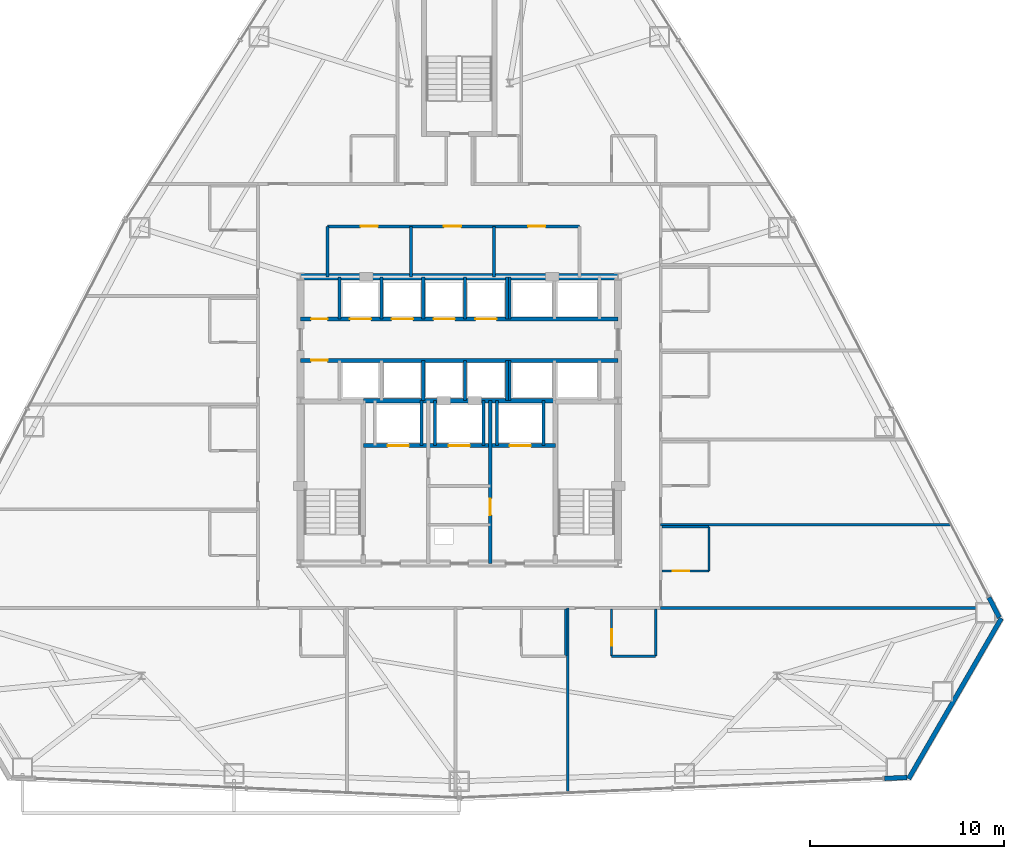
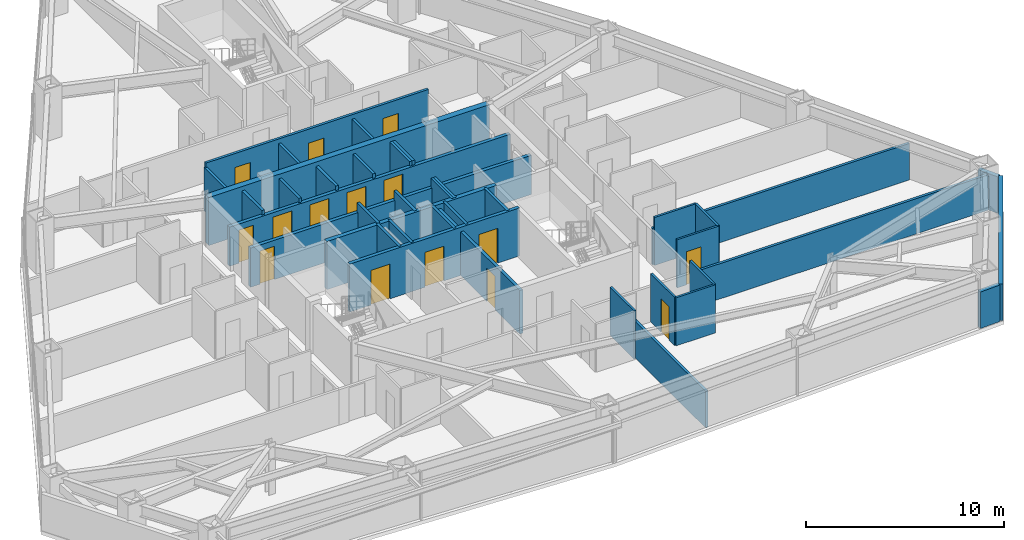
# One storey, part 10 of 13: 38 walls, 15 doors, 15 openings.
"""IFC4 building model written with IfcOpenShell, lengths in metres."""

from ifc_helpers import new_model, si_unit, direction, frame, frame_2d, origin, place, context, subcontext, project, spatial, rectangle, extrude, material, layer, layer_set, type_object, element, fill, save


model = new_model("IFC4")

# Units and contexts
model_context = context("Model", 3, precision=1e-05, world=origin(), true_north=direction((0.0, 1.0)))
body_context = subcontext(model_context, "Body", "Model", "MODEL_VIEW")
ifc_project = project(units=[si_unit("LENGTHUNIT", "METRE"), si_unit("AREAUNIT", "SQUARE_METRE"), si_unit("VOLUMEUNIT", "CUBIC_METRE"), si_unit("PLANEANGLEUNIT", "RADIAN"), si_unit("MASSUNIT", "GRAM", prefix="KILO")], contexts=[model_context])

# Site, building, storey
site_placement = place(None, origin())
site = spatial("IfcSite", under=ifc_project, at=site_placement, CompositionType="ELEMENT")
building_placement = place(site_placement, origin())
building = spatial("IfcBuilding", under=site, at=building_placement, Name="Varakhsha Concourse Tower", CompositionType="ELEMENT")
storey_placement = place(building_placement, frame((0.0, 0.0, 89.39990234375)))
storey = spatial("IfcBuildingStorey", under=building, at=storey_placement, Name="L25", CompositionType="ELEMENT", Elevation=89.39990234375)

# Walls
ifc_material_1 = material(Name="Concrete fc 65 MPa", Category="concrete")
ifc_layer_1 = layer(ifc_material_1, 0.35009765625, Name="WL-CORE-350")
ifc_layer_set_1 = layer_set([ifc_layer_1], Name="Concrete fc 65 MPa")
wall_type_1 = type_object("IfcWallType", Name="WL-CORE-350", PredefinedType="SHEAR", material=ifc_layer_set_1)
wall_1_placement = place(storey_placement, frame((31.800048828125, 31.199951171875, 0.0), z_axis=(0.0, 0.0, 1.0), x_axis=(1.0, 0.0, 0.0)))
element("IfcWall", 1, at=wall_1_placement, inside=storey, type_object=wall_type_1, Name="L25 Wall CWALL-N-L25", PredefinedType="SHEAR", context=body_context, shape_type="SweptSolid", body=[
    extrude(rectangle(XDim=16.39990234375, YDim=0.35009765625, at=frame_2d((8.199951171875, 0.0))), origin(), (0.0, 0.0, 1.0), 2.97021484375),
])
ifc_material_2 = material(Name="Concrete fc 45 MPa", Category="concrete")
ifc_layer_2 = layer(ifc_material_2, 0.239990234375, Name="WL-EXT-CRN-240")
ifc_layer_set_2 = layer_set([ifc_layer_2], Name="Concrete fc 45 MPa")
wall_type_2 = type_object("IfcWallType", Name="WL-EXT-CRN-240", PredefinedType="SHEAR", material=ifc_layer_set_2)
wall_2_placement = place(storey_placement, frame((61.94921875, 5.297119140625, 0.0), z_axis=(0.0, 0.0, 1.0), x_axis=(0.998970704025, 0.045360031967, 0.0)))
element("IfcWall", 2, at=wall_2_placement, inside=storey, type_object=wall_type_2, Name="L25 Wind-Corner Shoulder Wall F6", PredefinedType="SHEAR", context=body_context, shape_type="SweptSolid", body=[
    extrude(rectangle(XDim=1.16259765625, YDim=0.239990234375, at=frame_2d((0.581298828125, 0.0))), origin(), (0.0, 0.0, 1.0), 2.253173828125),
])
wall_3_placement = place(storey_placement, frame((67.984619140625, 13.569091796875, 0.0), z_axis=(0.0, 0.0, 1.0), x_axis=(-0.499996243911, -0.866027572353, 0.0)))
element("IfcWall", 3, at=wall_3_placement, inside=storey, type_object=wall_type_2, Name="L25 Chamfer Wind-Corner Insulated Wall F7", PredefinedType="SHEAR", context=body_context, shape_type="SweptSolid", body=[
    extrude(rectangle(XDim=9.5712890625, YDim=0.239990234375, at=frame_2d((4.78564453125, 0.0))), origin(), (0.0, 0.0, 1.0), 2.253173828125),
])
wall_4_placement = place(storey_placement, frame((67.8798828125, 13.61083984375, 0.0), z_axis=(0.0, 0.0, 1.0), x_axis=(-0.460022833548, 0.887907085575, 0.0)))
element("IfcWall", 4, at=wall_4_placement, inside=storey, type_object=wall_type_2, Name="L25 Wind-Corner Shoulder Wall F8", PredefinedType="SHEAR", context=body_context, shape_type="SweptSolid", body=[
    extrude(rectangle(XDim=1.162353515625, YDim=0.239990234375, at=frame_2d((0.5810546875, 0.0))), origin(), (0.0, 0.0, 1.0), 2.253173828125),
])

# Wall, opening, door
ifc_material_3 = material(Name="Fire-Rated Type X Gypsum Partition Assembly", Category="gypsum")
ifc_layer_3 = layer(ifc_material_3, 0.179931640625, Name="WL-FFLOB-180")
ifc_layer_set_3 = layer_set([ifc_layer_3], Name="Fire-Rated Type X Gypsum Partition Assembly")
wall_type_3 = type_object("IfcWallType", Name="WL-FFLOB-180", PredefinedType="PARTITIONING", material=ifc_layer_set_3)
wall_5_placement = place(storey_placement, frame((41.610107421875, 16.39990234375, 0.0), z_axis=(0.0, 0.0, 1.0), x_axis=(0.0, 1.0, 0.0)))
wall_5 = element("IfcWall", 5, at=wall_5_placement, inside=storey, type_object=wall_type_3, Name="L25 Wall FFW-2W-L25", PredefinedType="PARTITIONING", context=body_context, shape_type="SweptSolid", body=[
    extrude(rectangle(XDim=8.400146484375, YDim=0.179931640625, at=frame_2d((4.2001953125, 0.0))), origin(), (0.0, 0.0, 1.0), 2.697998046875),
])
opening_1_placement = place(wall_5_placement, frame((2.5, 0.0, 0.0)))
opening_1 = element("IfcOpeningElement", 6, at=opening_1_placement, cuts=wall_5, Name="Opening DF-07", PredefinedType="OPENING", context=body_context, shape_type="SweptSolid", body=[
    extrude(rectangle(XDim=0.85009765625, YDim=2.050048828125, at=frame_2d((0.425048828125, 1.02490234375))), frame((0.0, 0.099853515625, 0.0), z_axis=(0.0, -1.0, 0.0), x_axis=(1.0, 0.0, 0.0)), (0.0, 0.0, 1.0), 0.199951171875),
])
ifc_material_4 = material(Name="Hollow Galvanised Steel Fire Door Assembly", Category="steel")
door_type_1 = type_object("IfcDoorType", Name="DR-FD60-850", OperationType="NOTDEFINED", PredefinedType="DOOR", material=ifc_material_4)
door_1_placement = place(opening_1_placement, origin())
door_1 = element("IfcDoor", 7, at=door_1_placement, inside=storey, type_object=door_type_1, Name="L25 Telecoms Node Door", OperationType="SINGLE_SWING_LEFT", OverallHeight=2.050048828125, OverallWidth=0.85009765625, PredefinedType="DOOR", context=body_context, shape_type="SweptSolid", body=[
    extrude(rectangle(XDim=0.85009765625, YDim=2.050048828125, at=frame_2d((0.425048828125, 1.02490234375))), frame((0.0, 0.02490234375, 0.0), z_axis=(0.0, -1.0, 0.0), x_axis=(1.0, 0.0, 0.0)), (0.0, 0.0, 1.0), 0.050048828125),
])
fill(opening_1, door_1)

# Wall
ifc_material_5 = material(Name="Acoustic Gypsum Board Partition Assembly", Category="gypsum")
ifc_layer_4 = layer(ifc_material_5, 0.1201171875, Name="WL-PART-120")
ifc_layer_set_4 = layer_set([ifc_layer_4], Name="Acoustic Gypsum Board Partition Assembly")
wall_type_4 = type_object("IfcWallType", Name="WL-PART-120", PredefinedType="PARTITIONING", material=ifc_layer_set_4)
wall_6_placement = place(storey_placement, frame((45.489990234375, 11.610107421875, 0.0), z_axis=(0.0, 0.0, 1.0), x_axis=(0.0, 1.0, 0.0)))
element("IfcWall", 8, at=wall_6_placement, inside=storey, type_object=wall_type_4, Name="L25 Wall ENSW-E-L25-H03", PredefinedType="PARTITIONING", context=body_context, shape_type="SweptSolid", body=[
    extrude(rectangle(XDim=2.429931640625, YDim=0.1201171875, at=frame_2d((1.21484375, 0.0))), origin(), (0.0, 0.0, 1.0), 2.97021484375),
])

# Wall, opening, door
wall_7_placement = place(storey_placement, frame((47.860107421875, 11.610107421875, 0.0), z_axis=(0.0, 0.0, 1.0), x_axis=(0.0, 1.0, 0.0)))
wall_7 = element("IfcWall", 9, at=wall_7_placement, inside=storey, type_object=wall_type_4, Name="L25 Wall ENSW-W-L25-H04", PredefinedType="PARTITIONING", context=body_context, shape_type="SweptSolid", body=[
    extrude(rectangle(XDim=2.429931640625, YDim=0.1201171875, at=frame_2d((1.21484375, 0.0))), origin(), (0.0, 0.0, 1.0), 2.97021484375),
])
opening_2_placement = place(wall_7_placement, frame((0.550048828125, 0.0, 0.0)))
opening_2 = element("IfcOpeningElement", 10, at=opening_2_placement, cuts=wall_7, Name="Opening DI-01", PredefinedType="OPENING", context=body_context, shape_type="SweptSolid", body=[
    extrude(rectangle(XDim=0.85009765625, YDim=2.050048828125, at=frame_2d((0.425048828125, 1.02490234375))), frame((0.0, 0.070068359375, 0.0), z_axis=(0.0, -1.0, 0.0), x_axis=(1.0, 0.0, 0.0)), (0.0, 0.0, 1.0), 0.14013671875),
])
ifc_material_6 = material(Name="Architectural Walnut Acoustic Timber Door", Category="wood")
door_type_2 = type_object("IfcDoorType", Name="DR-INT-850", OperationType="NOTDEFINED", PredefinedType="DOOR", material=ifc_material_6)
door_2_placement = place(opening_2_placement, origin())
door_2 = element("IfcDoor", 11, at=door_2_placement, inside=storey, type_object=door_type_2, Name="L25 En-suite Bathroom Door L25-H04", OperationType="SINGLE_SWING_RIGHT", OverallHeight=2.050048828125, OverallWidth=0.85009765625, PredefinedType="DOOR", context=body_context, shape_type="SweptSolid", body=[
    extrude(rectangle(XDim=0.85009765625, YDim=2.050048828125, at=frame_2d((0.425048828125, 1.02490234375))), frame((0.0, 0.02490234375, 0.0), z_axis=(0.0, -1.0, 0.0), x_axis=(1.0, 0.0, 0.0)), (0.0, 0.0, 1.0), 0.050048828125),
])
fill(opening_2, door_2)

# Walls
wall_8_placement = place(storey_placement, frame((50.139892578125, 11.610107421875, 0.0), z_axis=(0.0, 0.0, 1.0), x_axis=(0.0, 1.0, 0.0)))
element("IfcWall", 12, at=wall_8_placement, inside=storey, type_object=wall_type_4, Name="L25 Wall ENSW-E-L25-H04", PredefinedType="PARTITIONING", context=body_context, shape_type="SweptSolid", body=[
    extrude(rectangle(XDim=2.429931640625, YDim=0.1201171875, at=frame_2d((1.21484375, 0.0))), origin(), (0.0, 0.0, 1.0), 2.97021484375),
])
wall_9_placement = place(storey_placement, frame((47.860107421875, 11.610107421875, 0.0), z_axis=(0.0, 0.0, 1.0), x_axis=(1.0, 0.0, 0.0)))
element("IfcWall", 13, at=wall_9_placement, inside=storey, type_object=wall_type_4, Name="L25 Wall ENSW-S-L25-H04", PredefinedType="PARTITIONING", context=body_context, shape_type="SweptSolid", body=[
    extrude(rectangle(XDim=2.27978515625, YDim=0.1201171875, at=frame_2d((1.139892578125, 0.0))), origin(), (0.0, 0.0, 1.0), 2.97021484375),
])
wall_10_placement = place(storey_placement, frame((52.889892578125, 16.010009765625, 0.0), z_axis=(0.0, 0.0, 1.0), x_axis=(0.0, 1.0, 0.0)))
element("IfcWall", 14, at=wall_10_placement, inside=storey, type_object=wall_type_4, Name="L25 Wall ENSW-E-L25-H09", PredefinedType="PARTITIONING", context=body_context, shape_type="SweptSolid", body=[
    extrude(rectangle(XDim=2.280029296875, YDim=0.1201171875, at=frame_2d((1.14013671875, 0.0))), origin(), (0.0, 0.0, 1.0), 2.97021484375),
])

# Wall, opening, door
wall_11_placement = place(storey_placement, frame((50.4599609375, 16.010009765625, 0.0), z_axis=(0.0, 0.0, 1.0), x_axis=(1.0, 0.0, 0.0)))
wall_11 = element("IfcWall", 15, at=wall_11_placement, inside=storey, type_object=wall_type_4, Name="L25 Wall ENSW-S-L25-H09", PredefinedType="PARTITIONING", context=body_context, shape_type="SweptSolid", body=[
    extrude(rectangle(XDim=2.429931640625, YDim=0.1201171875, at=frame_2d((1.21484375, 0.0))), origin(), (0.0, 0.0, 1.0), 2.97021484375),
])
opening_3_placement = place(wall_11_placement, frame((0.550048828125, 0.0, 0.0)))
opening_3 = element("IfcOpeningElement", 16, at=opening_3_placement, cuts=wall_11, Name="Opening DI-01", PredefinedType="OPENING", context=body_context, shape_type="SweptSolid", body=[
    extrude(rectangle(XDim=0.85009765625, YDim=2.050048828125, at=frame_2d((0.425048828125, 1.02490234375))), frame((0.0, 0.070068359375, 0.0), z_axis=(0.0, -1.0, 0.0), x_axis=(1.0, 0.0, 0.0)), (0.0, 0.0, 1.0), 0.14013671875),
])
door_3_placement = place(opening_3_placement, origin())
door_3 = element("IfcDoor", 17, at=door_3_placement, inside=storey, type_object=door_type_2, Name="L25 En-suite Bathroom Door L25-H09", OperationType="SINGLE_SWING_RIGHT", OverallHeight=2.050048828125, OverallWidth=0.85009765625, PredefinedType="DOOR", context=body_context, shape_type="SweptSolid", body=[
    extrude(rectangle(XDim=0.85009765625, YDim=2.050048828125, at=frame_2d((0.425048828125, 1.02490234375))), frame((0.0, 0.02490234375, 0.0), z_axis=(0.0, -1.0, 0.0), x_axis=(1.0, 0.0, 0.0)), (0.0, 0.0, 1.0), 0.050048828125),
])
fill(opening_3, door_3)

# Wall
wall_12_placement = place(storey_placement, frame((50.4599609375, 18.2900390625, 0.0), z_axis=(0.0, 0.0, 1.0), x_axis=(1.0, 0.0, 0.0)))
element("IfcWall", 18, at=wall_12_placement, inside=storey, type_object=wall_type_4, Name="L25 Wall ENSW-N-L25-H09", PredefinedType="PARTITIONING", context=body_context, shape_type="SweptSolid", body=[
    extrude(rectangle(XDim=2.429931640625, YDim=0.1201171875, at=frame_2d((1.21484375, 0.0))), origin(), (0.0, 0.0, 1.0), 2.97021484375),
])

# Wall, openings, doors
ifc_layer_5 = layer(ifc_material_3, 0.14990234375, Name="WL-PART-150")
ifc_layer_set_5 = layer_set([ifc_layer_5], Name="Fire-Rated Type X Gypsum Partition Assembly")
wall_type_5 = type_object("IfcWallType", Name="WL-PART-150", PredefinedType="PARTITIONING", material=ifc_layer_set_5)
wall_13_placement = place(storey_placement, frame((33.199951171875, 33.800048828125, 0.0), z_axis=(0.0, 0.0, 1.0), x_axis=(1.0, 0.0, 0.0)))
wall_13 = element("IfcWall", 19, at=wall_13_placement, inside=storey, type_object=wall_type_5, Name="L25 Wall NBOH-N-L25", PredefinedType="PARTITIONING", context=body_context, shape_type="SweptSolid", body=[
    extrude(rectangle(XDim=13.0, YDim=0.14990234375, at=frame_2d((6.5, 0.0))), origin(), (0.0, 0.0, 1.0), 2.97021484375),
])
opening_4_placement = place(wall_13_placement, frame((1.699951171875, 0.0, 0.0)))
opening_4 = element("IfcOpeningElement", 20, at=opening_4_placement, cuts=wall_13, Name="Opening DF-06", PredefinedType="OPENING", context=body_context, shape_type="SweptSolid", body=[
    extrude(rectangle(XDim=0.89990234375, YDim=2.10009765625, at=frame_2d((0.449951171875, 1.050048828125))), frame((0.0, 0.0849609375, 0.0), z_axis=(0.0, -1.0, 0.0), x_axis=(1.0, 0.0, 0.0)), (0.0, 0.0, 1.0), 0.169921875),
])
opening_5_placement = place(wall_13_placement, frame((6.0, 0.0, 0.0)))
opening_5 = element("IfcOpeningElement", 21, at=opening_5_placement, cuts=wall_13, Name="Opening DF-06", PredefinedType="OPENING", context=body_context, shape_type="SweptSolid", body=[
    extrude(rectangle(XDim=0.89990234375, YDim=2.10009765625, at=frame_2d((0.449951171875, 1.050048828125))), frame((0.0, 0.0849609375, 0.0), z_axis=(0.0, -1.0, 0.0), x_axis=(1.0, 0.0, 0.0)), (0.0, 0.0, 1.0), 0.169921875),
])
opening_6_placement = place(wall_13_placement, frame((10.35009765625, 0.0, 0.0)))
opening_6 = element("IfcOpeningElement", 22, at=opening_6_placement, cuts=wall_13, Name="Opening DF-06", PredefinedType="OPENING", context=body_context, shape_type="SweptSolid", body=[
    extrude(rectangle(XDim=0.89990234375, YDim=2.10009765625, at=frame_2d((0.449951171875, 1.050048828125))), frame((0.0, 0.0849609375, 0.0), z_axis=(0.0, -1.0, 0.0), x_axis=(1.0, 0.0, 0.0)), (0.0, 0.0, 1.0), 0.169921875),
])
door_type_3 = type_object("IfcDoorType", Name="DR-FD60-900", OperationType="NOTDEFINED", PredefinedType="DOOR", material=ifc_material_4)
door_4_placement = place(opening_4_placement, origin())
door_4 = element("IfcDoor", 23, at=door_4_placement, inside=storey, type_object=door_type_3, Name="L25 Housekeeping and Linen Room Door", OperationType="SINGLE_SWING_LEFT", OverallHeight=2.10009765625, OverallWidth=0.89990234375, PredefinedType="DOOR", context=body_context, shape_type="SweptSolid", body=[
    extrude(rectangle(XDim=0.89990234375, YDim=2.10009765625, at=frame_2d((0.449951171875, 1.050048828125))), frame((0.0, 0.02490234375, 0.0), z_axis=(0.0, -1.0, 0.0), x_axis=(1.0, 0.0, 0.0)), (0.0, 0.0, 1.0), 0.050048828125),
])
fill(opening_4, door_4)
door_5_placement = place(opening_5_placement, origin())
door_5 = element("IfcDoor", 24, at=door_5_placement, inside=storey, type_object=door_type_3, Name="L25 Accessible WC Door", OperationType="SINGLE_SWING_RIGHT", OverallHeight=2.10009765625, OverallWidth=0.89990234375, PredefinedType="DOOR", context=body_context, shape_type="SweptSolid", body=[
    extrude(rectangle(XDim=0.89990234375, YDim=2.10009765625, at=frame_2d((0.449951171875, 1.050048828125))), frame((0.0, 0.02490234375, 0.0), z_axis=(0.0, -1.0, 0.0), x_axis=(1.0, 0.0, 0.0)), (0.0, 0.0, 1.0), 0.050048828125),
])
fill(opening_5, door_5)
door_6_placement = place(opening_6_placement, origin())
door_6 = element("IfcDoor", 25, at=door_6_placement, inside=storey, type_object=door_type_3, Name="L25 Staff Restroom WC Door", OperationType="SINGLE_SWING_LEFT", OverallHeight=2.10009765625, OverallWidth=0.89990234375, PredefinedType="DOOR", context=body_context, shape_type="SweptSolid", body=[
    extrude(rectangle(XDim=0.89990234375, YDim=2.10009765625, at=frame_2d((0.449951171875, 1.050048828125))), frame((0.0, 0.02490234375, 0.0), z_axis=(0.0, -1.0, 0.0), x_axis=(1.0, 0.0, 0.0)), (0.0, 0.0, 1.0), 0.050048828125),
])
fill(opening_6, door_6)

# Walls
for number, where, z_axis, x_axis, name in (
    (26, (33.199951171875, 31.199951171875, 0.0), (0.0, 0.0, 1.0), (0.0, 1.0, 0.0), "L25 Wall NBOH-W-L25"),
    (27, (37.5, 31.199951171875, 0.0), (0.0, 0.0, 1.0), (0.0, 1.0, 0.0), "L25 Wall NBOH-D1-L25"),
    (28, (41.800048828125, 31.199951171875, 0.0), (0.0, 0.0, 1.0), (0.0, 1.0, 0.0), "L25 Wall NBOH-D2-L25"),
):
    element("IfcWall", number, at=place(storey_placement, frame(where, z_axis=z_axis, x_axis=x_axis)), inside=storey, type_object=wall_type_5, Name=name, PredefinedType="PARTITIONING", context=body_context, shape_type="SweptSolid", body=[
        extrude(rectangle(XDim=2.60009765625, YDim=0.14990234375, at=frame_2d((1.300048828125, 0.0))), origin(), (0.0, 0.0, 1.0), 2.697998046875),
    ])
wall_14_placement = place(storey_placement, frame((45.60009765625, 4.559326171875, 0.0), z_axis=(0.0, 0.0, 1.0), x_axis=(0.0, 1.0, 0.0)))
element("IfcWall", 29, at=wall_14_placement, inside=storey, type_object=wall_type_5, Name="L25 Wall HDIV-S3-L25", PredefinedType="PARTITIONING", context=body_context, shape_type="SweptSolid", body=[
    extrude(rectangle(XDim=9.540771484375, YDim=0.14990234375, at=frame_2d((4.7705078125, 0.0))), origin(), (0.0, 0.0, 1.0), 2.258056640625),
])
wall_15_placement = place(storey_placement, frame((50.39990234375, 14.10009765625, 0.0), z_axis=(0.0, 0.0, 1.0), x_axis=(1.0, 0.0, 0.0)))
element("IfcWall", 30, at=wall_15_placement, inside=storey, type_object=wall_type_5, Name="L25 Wall HDIV-EB0-L25", PredefinedType="PARTITIONING", context=body_context, shape_type="SweptSolid", body=[
    extrude(rectangle(XDim=17.220947265625, YDim=0.14990234375, at=frame_2d((8.6103515625, 0.0))), origin(), (0.0, 0.0, 1.0), 2.18115234375),
])
wall_16_placement = place(storey_placement, frame((50.39990234375, 18.39990234375, 0.0), z_axis=(0.0, 0.0, 1.0), x_axis=(1.0, 0.0, 0.0)))
element("IfcWall", 31, at=wall_16_placement, inside=storey, type_object=wall_type_5, Name="L25 Wall HDIV-E1-L25", PredefinedType="PARTITIONING", context=body_context, shape_type="SweptSolid", body=[
    extrude(rectangle(XDim=14.9921875, YDim=0.14990234375, at=frame_2d((7.49609375, 0.0))), origin(), (0.0, 0.0, 1.0), 2.258056640625),
])

# Wall, openings, doors
ifc_layer_6 = layer(ifc_material_3, 0.199951171875, Name="WL-SHAFT-220")
ifc_layer_set_6 = layer_set([ifc_layer_6], Name="Fire-Rated Type X Gypsum Partition Assembly")
wall_type_6 = type_object("IfcWallType", Name="WL-SHAFT-220", PredefinedType="SOLIDWALL", material=ifc_layer_set_6)
wall_17_placement = place(storey_placement, frame((35.044921875, 22.47998046875, 0.0), z_axis=(0.0, 0.0, 1.0), x_axis=(1.0, 0.0, 0.0)))
wall_17 = element("IfcWall", 32, at=wall_17_placement, inside=storey, type_object=wall_type_6, Name="L25 Wall FFW-NH-L25", PredefinedType="SOLIDWALL", context=body_context, shape_type="SweptSolid", body=[
    extrude(rectangle(XDim=9.91015625, YDim=0.199951171875, at=frame_2d((4.955078125, 0.0))), origin(), (0.0, 0.0, 1.0), 2.97021484375),
])
opening_7_placement = place(wall_17_placement, frame((1.2548828125, 0.0, 0.0)))
opening_7 = element("IfcOpeningElement", 33, at=opening_7_placement, cuts=wall_17, Name="Opening LD-FFL-1", PredefinedType="OPENING", context=body_context, shape_type="SweptSolid", body=[
    extrude(rectangle(XDim=1.10009765625, YDim=2.14990234375, at=frame_2d((0.550048828125, 1.074951171875))), frame((0.0, 0.10986328125, 0.0), z_axis=(0.0, -1.0, 0.0), x_axis=(1.0, 0.0, 0.0)), (0.0, 0.0, 1.0), 0.219970703125),
])
opening_8_placement = place(wall_17_placement, frame((7.554931640625, 0.0, 0.0)))
opening_8 = element("IfcOpeningElement", 34, at=opening_8_placement, cuts=wall_17, Name="Opening LD-FFL-2", PredefinedType="OPENING", context=body_context, shape_type="SweptSolid", body=[
    extrude(rectangle(XDim=1.10009765625, YDim=2.14990234375, at=frame_2d((0.550048828125, 1.074951171875))), frame((0.0, 0.10986328125, 0.0), z_axis=(0.0, -1.0, 0.0), x_axis=(1.0, 0.0, 0.0)), (0.0, 0.0, 1.0), 0.219970703125),
])
opening_9_placement = place(wall_17_placement, frame((4.405029296875, 0.0, 0.0)))
opening_9 = element("IfcOpeningElement", 35, at=opening_9_placement, cuts=wall_17, Name="Opening LD-SVL-1", PredefinedType="OPENING", context=body_context, shape_type="SweptSolid", body=[
    extrude(rectangle(XDim=1.10009765625, YDim=2.14990234375, at=frame_2d((0.550048828125, 1.074951171875))), frame((0.0, 0.10986328125, 0.0), z_axis=(0.0, -1.0, 0.0), x_axis=(1.0, 0.0, 0.0)), (0.0, 0.0, 1.0), 0.219970703125),
])
ifc_material_7 = material(Name="Brushed Austenitic Stainless Steel AISI 316", Category="steel")
door_type_4 = type_object("IfcDoorType", Name="DR-LD-1100", OperationType="DOUBLE_DOOR_SLIDING", PredefinedType="DOOR", material=ifc_material_7)
door_7_placement = place(opening_7_placement, origin())
door_7 = element("IfcDoor", 36, at=door_7_placement, inside=storey, type_object=door_type_4, Name="Lift Landing Door FFL-1 L25", OperationType="DOUBLE_DOOR_SLIDING", OverallHeight=2.14990234375, OverallWidth=1.10009765625, PredefinedType="DOOR", context=body_context, shape_type="SweptSolid", body=[
    extrude(rectangle(XDim=1.10009765625, YDim=2.14990234375, at=frame_2d((0.550048828125, 1.074951171875))), frame((0.0, 0.02490234375, 0.0), z_axis=(0.0, -1.0, 0.0), x_axis=(1.0, 0.0, 0.0)), (0.0, 0.0, 1.0), 0.050048828125),
])
fill(opening_7, door_7)
door_8_placement = place(opening_8_placement, origin())
door_8 = element("IfcDoor", 37, at=door_8_placement, inside=storey, type_object=door_type_4, Name="Lift Landing Door FFL-2 L25", OperationType="DOUBLE_DOOR_SLIDING", OverallHeight=2.14990234375, OverallWidth=1.10009765625, PredefinedType="DOOR", context=body_context, shape_type="SweptSolid", body=[
    extrude(rectangle(XDim=1.10009765625, YDim=2.14990234375, at=frame_2d((0.550048828125, 1.074951171875))), frame((0.0, 0.02490234375, 0.0), z_axis=(0.0, -1.0, 0.0), x_axis=(1.0, 0.0, 0.0)), (0.0, 0.0, 1.0), 0.050048828125),
])
fill(opening_8, door_8)
door_9_placement = place(opening_9_placement, origin())
door_9 = element("IfcDoor", 38, at=door_9_placement, inside=storey, type_object=door_type_4, Name="Lift Landing Door SVL-1 L25", OperationType="DOUBLE_DOOR_SLIDING", OverallHeight=2.14990234375, OverallWidth=1.10009765625, PredefinedType="DOOR", context=body_context, shape_type="SweptSolid", body=[
    extrude(rectangle(XDim=1.10009765625, YDim=2.14990234375, at=frame_2d((0.550048828125, 1.074951171875))), frame((0.0, 0.02490234375, 0.0), z_axis=(0.0, -1.0, 0.0), x_axis=(1.0, 0.0, 0.0)), (0.0, 0.0, 1.0), 0.050048828125),
])
fill(opening_9, door_9)

# Walls
for number, where, z_axis, x_axis, name in (
    (39, (38.050048828125, 22.47998046875, 0.0), (0.0, 0.0, 1.0), (0.0, 1.0, 0.0), "L25 Wall SHW-FFL-1-E-L25"),
    (40, (41.949951171875, 22.47998046875, 0.0), (0.0, 0.0, 1.0), (0.0, 1.0, 0.0), "L25 Wall SHW-FFL-2-W-L25"),
    (41, (44.35009765625, 22.47998046875, 0.0), (0.0, 0.0, 1.0), (0.0, 1.0, 0.0), "L25 Wall SHW-FFL-2-E-L25"),
    (42, (38.75, 22.47998046875, 0.0), (0.0, 0.0, 1.0), (0.0, 1.0, 0.0), "L25 Wall SHW-SVL-1-W-L25"),
    (43, (41.25, 22.47998046875, 0.0), (0.0, 0.0, 1.0), (0.0, 1.0, 0.0), "L25 Wall SHW-SVL-1-E-L25"),
):
    element("IfcWall", number, at=place(storey_placement, frame(where, z_axis=z_axis, x_axis=x_axis)), inside=storey, type_object=wall_type_6, Name=name, PredefinedType="SOLIDWALL", context=body_context, shape_type="SweptSolid", body=[
        extrude(rectangle(XDim=2.320068359375, YDim=0.159912109375, at=frame_2d((1.16015625, 0.0))), origin(), (0.0, 0.0, 1.0), 2.97021484375),
    ])

# Wall, openings, doors
wall_18_placement = place(storey_placement, frame((31.800048828125, 29.02001953125, 0.0), z_axis=(0.0, 0.0, 1.0), x_axis=(1.0, 0.0, 0.0)))
wall_18 = element("IfcWall", 44, at=wall_18_placement, inside=storey, type_object=wall_type_6, Name="L25 Wall PLW-N-L25", PredefinedType="SOLIDWALL", context=body_context, shape_type="SweptSolid", body=[
    extrude(rectangle(XDim=16.39990234375, YDim=0.199951171875, at=frame_2d((8.199951171875, 0.0))), origin(), (0.0, 0.0, 1.0), 2.421142578125),
])
opening_10_placement = place(wall_18_placement, frame((0.550048828125, 0.0, 0.0)))
opening_10 = element("IfcOpeningElement", 45, at=opening_10_placement, cuts=wall_18, Name="Opening DF-07", PredefinedType="OPENING", context=body_context, shape_type="SweptSolid", body=[
    extrude(rectangle(XDim=0.85009765625, YDim=2.050048828125, at=frame_2d((0.425048828125, 1.02490234375))), frame((0.0, 0.10986328125, 0.0), z_axis=(0.0, -1.0, 0.0), x_axis=(1.0, 0.0, 0.0)), (0.0, 0.0, 1.0), 0.219970703125),
])
opening_11_placement = place(wall_18_placement, frame((2.550048828125, 0.0, 0.0)))
opening_11 = element("IfcOpeningElement", 46, at=opening_11_placement, cuts=wall_18, Name="Opening LD-LF-P01", PredefinedType="OPENING", context=body_context, shape_type="SweptSolid", body=[
    extrude(rectangle(XDim=1.10009765625, YDim=2.14990234375, at=frame_2d((0.550048828125, 1.074951171875))), frame((0.0, 0.10986328125, 0.0), z_axis=(0.0, -1.0, 0.0), x_axis=(1.0, 0.0, 0.0)), (0.0, 0.0, 1.0), 0.219970703125),
])
opening_12_placement = place(wall_18_placement, frame((4.7099609375, 0.0, 0.0)))
opening_12 = element("IfcOpeningElement", 47, at=opening_12_placement, cuts=wall_18, Name="Opening LD-LF-P02", PredefinedType="OPENING", context=body_context, shape_type="SweptSolid", body=[
    extrude(rectangle(XDim=1.10009765625, YDim=2.14990234375, at=frame_2d((0.550048828125, 1.074951171875))), frame((0.0, 0.10986328125, 0.0), z_axis=(0.0, -1.0, 0.0), x_axis=(1.0, 0.0, 0.0)), (0.0, 0.0, 1.0), 0.219970703125),
])
opening_13_placement = place(wall_18_placement, frame((6.8701171875, 0.0, 0.0)))
opening_13 = element("IfcOpeningElement", 48, at=opening_13_placement, cuts=wall_18, Name="Opening LD-LF-P03", PredefinedType="OPENING", context=body_context, shape_type="SweptSolid", body=[
    extrude(rectangle(XDim=1.10009765625, YDim=2.14990234375, at=frame_2d((0.550048828125, 1.074951171875))), frame((0.0, 0.10986328125, 0.0), z_axis=(0.0, -1.0, 0.0), x_axis=(1.0, 0.0, 0.0)), (0.0, 0.0, 1.0), 0.219970703125),
])
opening_14_placement = place(wall_18_placement, frame((9.030029296875, 0.0, 0.0)))
opening_14 = element("IfcOpeningElement", 49, at=opening_14_placement, cuts=wall_18, Name="Opening LD-LF-P04", PredefinedType="OPENING", context=body_context, shape_type="SweptSolid", body=[
    extrude(rectangle(XDim=1.10009765625, YDim=2.14990234375, at=frame_2d((0.550048828125, 1.074951171875))), frame((0.0, 0.10986328125, 0.0), z_axis=(0.0, -1.0, 0.0), x_axis=(1.0, 0.0, 0.0)), (0.0, 0.0, 1.0), 0.219970703125),
])
door_10_placement = place(opening_10_placement, origin())
door_10 = element("IfcDoor", 50, at=door_10_placement, inside=storey, type_object=door_type_1, Name="L25 Core Janitor Closet Door", OperationType="SINGLE_SWING_LEFT", OverallHeight=2.050048828125, OverallWidth=0.85009765625, PredefinedType="DOOR", context=body_context, shape_type="SweptSolid", body=[
    extrude(rectangle(XDim=0.85009765625, YDim=2.050048828125, at=frame_2d((0.425048828125, 1.02490234375))), frame((0.0, 0.02490234375, 0.0), z_axis=(0.0, -1.0, 0.0), x_axis=(1.0, 0.0, 0.0)), (0.0, 0.0, 1.0), 0.050048828125),
])
fill(opening_10, door_10)
door_11_placement = place(opening_11_placement, origin())
door_11 = element("IfcDoor", 51, at=door_11_placement, inside=storey, type_object=door_type_4, Name="Lift Landing Door LF-P01 L25", OperationType="DOUBLE_DOOR_SLIDING", OverallHeight=2.14990234375, OverallWidth=1.10009765625, PredefinedType="DOOR", context=body_context, shape_type="SweptSolid", body=[
    extrude(rectangle(XDim=1.10009765625, YDim=2.14990234375, at=frame_2d((0.550048828125, 1.074951171875))), frame((0.0, 0.02490234375, 0.0), z_axis=(0.0, -1.0, 0.0), x_axis=(1.0, 0.0, 0.0)), (0.0, 0.0, 1.0), 0.050048828125),
])
fill(opening_11, door_11)
door_12_placement = place(opening_12_placement, origin())
door_12 = element("IfcDoor", 52, at=door_12_placement, inside=storey, type_object=door_type_4, Name="Lift Landing Door LF-P02 L25", OperationType="DOUBLE_DOOR_SLIDING", OverallHeight=2.14990234375, OverallWidth=1.10009765625, PredefinedType="DOOR", context=body_context, shape_type="SweptSolid", body=[
    extrude(rectangle(XDim=1.10009765625, YDim=2.14990234375, at=frame_2d((0.550048828125, 1.074951171875))), frame((0.0, 0.02490234375, 0.0), z_axis=(0.0, -1.0, 0.0), x_axis=(1.0, 0.0, 0.0)), (0.0, 0.0, 1.0), 0.050048828125),
])
fill(opening_12, door_12)
door_13_placement = place(opening_13_placement, origin())
door_13 = element("IfcDoor", 53, at=door_13_placement, inside=storey, type_object=door_type_4, Name="Lift Landing Door LF-P03 L25", OperationType="DOUBLE_DOOR_SLIDING", OverallHeight=2.14990234375, OverallWidth=1.10009765625, PredefinedType="DOOR", context=body_context, shape_type="SweptSolid", body=[
    extrude(rectangle(XDim=1.10009765625, YDim=2.14990234375, at=frame_2d((0.550048828125, 1.074951171875))), frame((0.0, 0.02490234375, 0.0), z_axis=(0.0, -1.0, 0.0), x_axis=(1.0, 0.0, 0.0)), (0.0, 0.0, 1.0), 0.050048828125),
])
fill(opening_13, door_13)
door_14_placement = place(opening_14_placement, origin())
door_14 = element("IfcDoor", 54, at=door_14_placement, inside=storey, type_object=door_type_4, Name="Lift Landing Door LF-P04 L25", OperationType="DOUBLE_DOOR_SLIDING", OverallHeight=2.14990234375, OverallWidth=1.10009765625, PredefinedType="DOOR", context=body_context, shape_type="SweptSolid", body=[
    extrude(rectangle(XDim=1.10009765625, YDim=2.14990234375, at=frame_2d((0.550048828125, 1.074951171875))), frame((0.0, 0.02490234375, 0.0), z_axis=(0.0, -1.0, 0.0), x_axis=(1.0, 0.0, 0.0)), (0.0, 0.0, 1.0), 0.050048828125),
])
fill(opening_14, door_14)

# Wall, opening, door
wall_19_placement = place(storey_placement, frame((31.800048828125, 26.8798828125, 0.0), z_axis=(0.0, 0.0, 1.0), x_axis=(1.0, 0.0, 0.0)))
wall_19 = element("IfcWall", 55, at=wall_19_placement, inside=storey, type_object=wall_type_6, Name="L25 Wall PLW-S-L25", PredefinedType="SOLIDWALL", context=body_context, shape_type="SweptSolid", body=[
    extrude(rectangle(XDim=16.39990234375, YDim=0.199951171875, at=frame_2d((8.199951171875, 0.0))), origin(), (0.0, 0.0, 1.0), 2.421142578125),
])
opening_15_placement = place(wall_19_placement, frame((0.550048828125, 0.0, 0.0)))
opening_15 = element("IfcOpeningElement", 56, at=opening_15_placement, cuts=wall_19, Name="Opening DF-07", PredefinedType="OPENING", context=body_context, shape_type="SweptSolid", body=[
    extrude(rectangle(XDim=0.85009765625, YDim=2.050048828125, at=frame_2d((0.425048828125, 1.02490234375))), frame((0.0, 0.10986328125, 0.0), z_axis=(0.0, -1.0, 0.0), x_axis=(1.0, 0.0, 0.0)), (0.0, 0.0, 1.0), 0.219970703125),
])
door_15_placement = place(opening_15_placement, origin())
door_15 = element("IfcDoor", 57, at=door_15_placement, inside=storey, type_object=door_type_1, Name="L25 Core Telecoms Closet Door", OperationType="SINGLE_SWING_RIGHT", OverallHeight=2.050048828125, OverallWidth=0.85009765625, PredefinedType="DOOR", context=body_context, shape_type="SweptSolid", body=[
    extrude(rectangle(XDim=0.85009765625, YDim=2.050048828125, at=frame_2d((0.425048828125, 1.02490234375))), frame((0.0, 0.02490234375, 0.0), z_axis=(0.0, -1.0, 0.0), x_axis=(1.0, 0.0, 0.0)), (0.0, 0.0, 1.0), 0.050048828125),
])
fill(opening_15, door_15)

# Walls
for number, where, z_axis, x_axis, name in (
    (58, (33.820068359375, 29.02001953125, 0.0), (0.0, 0.0, 1.0), (0.0, 1.0, 0.0), "L25 Wall WBOH-E1-L25"),
    (59, (35.97998046875, 29.02001953125, 0.0), (0.0, 0.0, 1.0), (0.0, 1.0, 0.0), "L25 Wall SHW-LF-P01-E-L25"),
    (60, (38.139892578125, 29.02001953125, 0.0), (0.0, 0.0, 1.0), (0.0, 1.0, 0.0), "L25 Wall SHW-LF-P02-E-L25"),
    (61, (40.300048828125, 29.02001953125, 0.0), (0.0, 0.0, 1.0), (0.0, 1.0, 0.0), "L25 Wall SHW-LF-P03-E-L25"),
    (62, (42.4599609375, 29.02001953125, 0.0), (0.0, 0.0, 1.0), (0.0, 1.0, 0.0), "L25 Wall SHW-LF-P04-E-L25"),
):
    element("IfcWall", number, at=place(storey_placement, frame(where, z_axis=z_axis, x_axis=x_axis)), inside=storey, type_object=wall_type_6, Name=name, PredefinedType="SOLIDWALL", context=body_context, shape_type="SweptSolid", body=[
        extrude(rectangle(XDim=2.179931640625, YDim=0.159912109375, at=frame_2d((1.08984375, 0.0))), origin(), (0.0, 0.0, 1.0), 2.697998046875),
    ])
for number, where, z_axis, x_axis, name in (
    (63, (38.139892578125, 24.800048828125, 0.0), (0.0, 0.0, 1.0), (0.0, 1.0, 0.0), "L25 Wall SHW-LF-P06-E-L25"),
    (64, (40.300048828125, 24.800048828125, 0.0), (0.0, 0.0, 1.0), (0.0, 1.0, 0.0), "L25 Wall SHW-LF-P07-E-L25"),
    (65, (42.4599609375, 24.800048828125, 0.0), (0.0, 0.0, 1.0), (0.0, 1.0, 0.0), "L25 Wall SHW-LF-P08-E-L25"),
):
    element("IfcWall", number, at=place(storey_placement, frame(where, z_axis=z_axis, x_axis=x_axis)), inside=storey, type_object=wall_type_6, Name=name, PredefinedType="SOLIDWALL", context=body_context, shape_type="SweptSolid", body=[
        extrude(rectangle(XDim=2.079833984375, YDim=0.159912109375, at=frame_2d((1.0400390625, 0.0))), origin(), (0.0, 0.0, 1.0), 2.97021484375),
    ])
wall_20_placement = place(storey_placement, frame((42.60009765625, 29.02001953125, 0.0), z_axis=(0.0, 0.0, 1.0), x_axis=(0.0, 1.0, 0.0)))
element("IfcWall", 66, at=wall_20_placement, inside=storey, type_object=wall_type_6, Name="L25 Wall SHW-LF-P09-W-L25", PredefinedType="SOLIDWALL", context=body_context, shape_type="SweptSolid", body=[
    extrude(rectangle(XDim=2.179931640625, YDim=0.159912109375, at=frame_2d((1.08984375, 0.0))), origin(), (0.0, 0.0, 1.0), 2.697998046875),
])
wall_21_placement = place(storey_placement, frame((42.60009765625, 24.800048828125, 0.0), z_axis=(0.0, 0.0, 1.0), x_axis=(0.0, 1.0, 0.0)))
element("IfcWall", 67, at=wall_21_placement, inside=storey, type_object=wall_type_6, Name="L25 Wall SHW-LF-P11-W-L25", PredefinedType="SOLIDWALL", context=body_context, shape_type="SweptSolid", body=[
    extrude(rectangle(XDim=2.079833984375, YDim=0.159912109375, at=frame_2d((1.0400390625, 0.0))), origin(), (0.0, 0.0, 1.0), 2.97021484375),
])
ifc_layer_7 = layer(ifc_material_2, 0.25, Name="WL-STAIR-250")
ifc_layer_set_7 = layer_set([ifc_layer_7], Name="Concrete fc 45 MPa")
wall_type_7 = type_object("IfcWallType", Name="WL-STAIR-250", PredefinedType="SHEAR", material=ifc_layer_set_7)
wall_22_placement = place(storey_placement, frame((35.044921875, 24.800048828125, 0.0), z_axis=(0.0, 0.0, 1.0), x_axis=(1.0, 0.0, 0.0)))
element("IfcWall", 68, at=wall_22_placement, inside=storey, type_object=wall_type_7, Name="L25 Wall SWALL-MID-H-L25", PredefinedType="SHEAR", context=body_context, shape_type="SweptSolid", body=[
    extrude(rectangle(XDim=9.91015625, YDim=0.25, at=frame_2d((4.955078125, 0.0))), origin(), (0.0, 0.0, 1.0), 2.97021484375),
])

save(model, "model.ifc")
